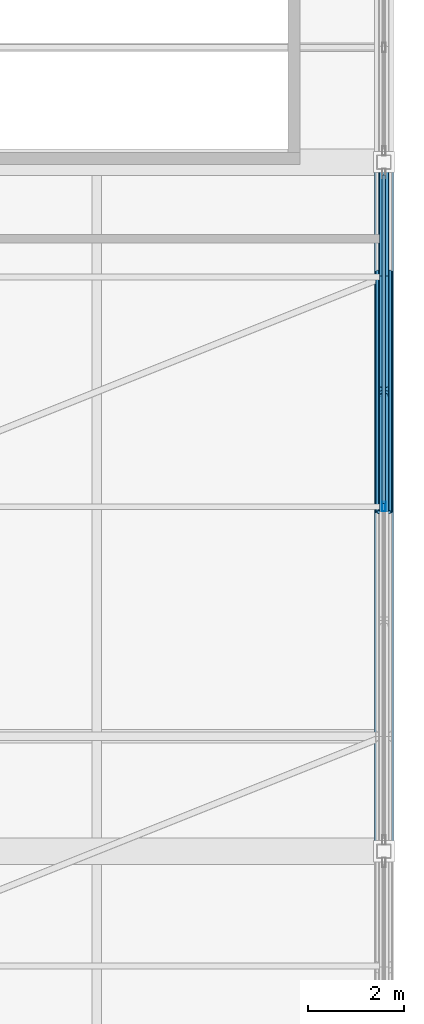
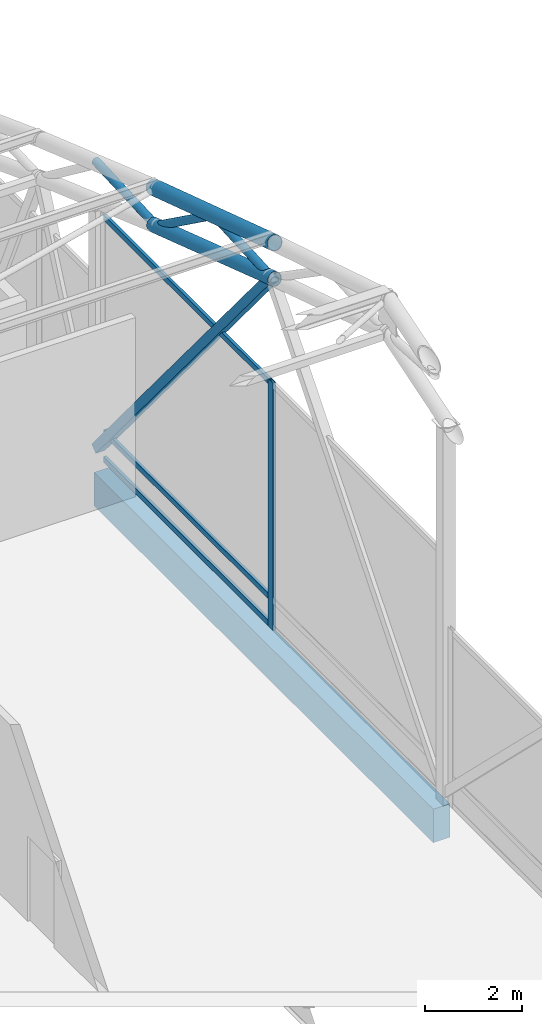
# One storey, part 58 of 116: 10 members, 1 beam, 1 element without a shape of its own.
"""IFC4 building model written with IfcOpenShell, lengths in metres."""

from ifc_helpers import new_model, si_unit, direction, frame, origin, origin_2d, place, context, subcontext, project, spatial, rectangle, hollow_rectangle, hollow_circle, extrude, material, material_profile, profile_set, type_object, element, aggregate, save


model = new_model("IFC4")

# Units and contexts
model_context = context("Model", 3, precision=1e-05, world=origin(), true_north=direction((0.0, 1.0)))
body_context = subcontext(model_context, "Body", "Model", "MODEL_VIEW")
ifc_project = project(units=[si_unit("LENGTHUNIT", "METRE"), si_unit("AREAUNIT", "SQUARE_METRE"), si_unit("VOLUMEUNIT", "CUBIC_METRE"), si_unit("PLANEANGLEUNIT", "RADIAN"), si_unit("MASSUNIT", "GRAM", prefix="KILO")], contexts=[model_context])

# Site, building, storey
site_placement = place(None, origin())
site = spatial("IfcSite", under=ifc_project, at=site_placement, CompositionType="ELEMENT")
building_placement = place(site_placement, origin())
building = spatial("IfcBuilding", under=site, at=building_placement, Name="Cendralis Lancet Convention Centre", CompositionType="ELEMENT")
storey_placement = place(building_placement, frame((0.0, 0.0, 15.0)))
storey = spatial("IfcBuildingStorey", under=building, at=storey_placement, Name="L03", CompositionType="ELEMENT", Elevation=15.0)

# Curtain wall, members
ifc_material_1 = material(Name="Anodised bronze architectural aluminium", Category="aluminium")
curtain_wall_type = type_object("IfcCurtainWallType", Name="ARC-CW-PL02", PredefinedType="USERDEFINED", material=ifc_material_1)
curtain_wall_placement = place(storey_placement, origin())
curtain_wall = element("IfcCurtainWall", 1, at=curtain_wall_placement, inside=storey, type_object=curtain_wall_type, Name="L03 Curtain Wall CW-PL2 #143", ObjectType="CURTAIN WALL", PredefinedType="USERDEFINED")
ifc_material_profile_1 = material_profile(ifc_material_1, hollow_rectangle(XDim=0.070068359375, YDim=0.199951171875, WallThickness=0.0048828125, at=origin_2d()), Name="AL-MULL 70x200x5.0")
ifc_profile_set_1 = profile_set([ifc_material_profile_1], Name="Anodised bronze architectural aluminium")
member_type_1 = type_object("IfcMemberType", Name="ARC-CW-ML02", PredefinedType="MULLION", material=ifc_profile_set_1)
member_1_placement = place(storey_placement, frame((208.800048828125, 72.0, 0.0), z_axis=(0.0, 0.0, 1.0), x_axis=(1.0, 0.0, 0.0)))
member_1 = element("IfcMember", 2, at=member_1_placement, type_object=member_type_1, Name="Mullion CW2-CW-PL2-L03-143-M1", PredefinedType="MULLION", context=body_context, shape_type="SweptSolid", body=[
    extrude(hollow_rectangle(XDim=0.070068359375, YDim=0.199951171875, WallThickness=0.0048828125, at=origin_2d()), origin(), (0.0, 0.0, 1.0), 6.2548828125),
])
ifc_material_profile_2 = material_profile(ifc_material_1, hollow_rectangle(XDim=0.070068359375, YDim=0.139892578125, WallThickness=0.00390625, at=origin_2d()), Name="AL-TRAN 70x140x4.0")
ifc_profile_set_2 = profile_set([ifc_material_profile_2], Name="Anodised bronze architectural aluminium")
member_type_2 = type_object("IfcMemberType", Name="ARC-CW-TR02", PredefinedType="USERDEFINED", material=ifc_profile_set_2)
member_2_placement = place(storey_placement, frame((208.800048828125, 78.929931640625, 0.070068359375), z_axis=(0.0, -1.0, 0.0), x_axis=(1.0, 0.0, 0.0)))
member_2 = element("IfcMember", 3, at=member_2_placement, type_object=member_type_2, Name="Transom CW2-CW-PL2-L03-143-T0BOT", ObjectType="TRANSOM", PredefinedType="USERDEFINED", context=body_context, shape_type="SweptSolid", body=[
    extrude(hollow_rectangle(XDim=0.070068359375, YDim=0.139892578125, WallThickness=0.00390625, at=origin_2d()), origin(), (0.0, 0.0, 1.0), 6.85986328125),
])
member_3_placement = place(storey_placement, frame((208.800048828125, 78.929931640625, 0.75), z_axis=(0.0, -1.0, 0.0), x_axis=(1.0, 0.0, 0.0)))
member_3 = element("IfcMember", 4, at=member_3_placement, type_object=member_type_2, Name="Transom CW2-CW-PL2-L03-143-T0MID", ObjectType="TRANSOM", PredefinedType="USERDEFINED", context=body_context, shape_type="SweptSolid", body=[
    extrude(hollow_rectangle(XDim=0.070068359375, YDim=0.139892578125, WallThickness=0.00390625, at=origin_2d()), origin(), (0.0, 0.0, 1.0), 6.85986328125),
])
member_4_placement = place(storey_placement, frame((208.800048828125, 78.929931640625, 6.18505859375), z_axis=(0.0, -1.0, 0.0), x_axis=(1.0, 0.0, 0.0)))
member_4 = element("IfcMember", 5, at=member_4_placement, type_object=member_type_2, Name="Transom CW2-CW-PL2-L03-143-T0TOP", ObjectType="TRANSOM", PredefinedType="USERDEFINED", context=body_context, shape_type="SweptSolid", body=[
    extrude(hollow_rectangle(XDim=0.070068359375, YDim=0.139892578125, WallThickness=0.00390625, at=origin_2d()), origin(), (0.0, 0.0, 1.0), 6.85986328125),
])
aggregate(curtain_wall, [member_1, member_2, member_3, member_4])

# Member
ifc_material_2 = material(Name="Steel S355", Category="steel")
ifc_material_profile_3 = material_profile(ifc_material_2, hollow_rectangle(XDim=0.219970703125, YDim=0.219970703125, WallThickness=0.012451171875, at=origin_2d()), Name="SHS 220x220x12.5")
ifc_profile_set_3 = profile_set([ifc_material_profile_3], Name="Steel S355")
member_type_3 = type_object("IfcMemberType", Name="STR-BR-GB02", PredefinedType="BRACE", material=ifc_profile_set_3)
member_5_placement = place(storey_placement, frame((208.800048828125, 79.199951171875, 0.199951171875), z_axis=(0.0, -0.639706349846, 0.768619402544), x_axis=(1.0, 0.0, 0.0)))
element("IfcMember", 6, at=member_5_placement, inside=storey, type_object=member_type_3, Name="Plenary Gable Gothic Ogival Tracery Rib GBR2 #076", PredefinedType="BRACE", context=body_context, shape_type="SweptSolid", body=[
    extrude(hollow_rectangle(XDim=0.219970703125, YDim=0.219970703125, WallThickness=0.012451171875, at=origin_2d()), origin(), (0.0, 0.0, 1.0), 11.255126953125),
])

# Beam
ifc_material_3 = material(Name="Concrete G40 (C40/50)", Category="concrete")
ifc_material_profile_4 = material_profile(ifc_material_3, rectangle(XDim=0.39990234375, YDim=0.85009765625, at=origin_2d()), Name="RCB 400x850")
ifc_profile_set_4 = profile_set([ifc_material_profile_4], Name="Concrete G40 (C40/50)")
beam_type = type_object("IfcBeamType", Name="STR-SP-SP02", PredefinedType="SPANDREL", material=ifc_profile_set_4)
beam_placement = place(storey_placement, frame((208.800048828125, 64.97509765625, -0.68505859375), z_axis=(0.0, 1.0, 0.0), x_axis=(-1.0, 0.0, 0.0)))
element("IfcBeam", 7, at=beam_placement, inside=storey, type_object=beam_type, Name="L03 Beam SP02 #1549", PredefinedType="SPANDREL", context=body_context, shape_type="SweptSolid", body=[
    extrude(rectangle(XDim=0.39990234375, YDim=0.85009765625, at=origin_2d()), origin(), (0.0, 0.0, 1.0), 14.0498046875),
])

# Members
ifc_material_profile_5 = material_profile(ifc_material_2, hollow_circle(Radius=0.161865234375, WallThickness=0.01416015625, at=origin_2d()), Name="CHS 323.9x14.2")
ifc_profile_set_5 = profile_set([ifc_material_profile_5], Name="Steel S355")
member_type_4 = type_object("IfcMemberType", Name="STR-TR-BC02", PredefinedType="CHORD", material=ifc_profile_set_5)
member_6_placement = place(storey_placement, frame((208.800048828125, 71.885986328125, 8.888916015625), z_axis=(0.0, 0.948830629051, -0.315785429325), x_axis=(-1.0, 0.0, 0.0)))
element("IfcMember", 8, at=member_6_placement, inside=storey, type_object=member_type_4, Name="ROOF TRUSS AT-V2-10 Bottom Chord 06", PredefinedType="CHORD", context=body_context, shape_type="SweptSolid", body=[
    extrude(hollow_circle(Radius=0.161865234375, WallThickness=0.01416015625, at=origin_2d()), origin(), (0.0, 0.0, 1.0), 5.299072265625),
])
ifc_material_profile_6 = material_profile(ifc_material_2, hollow_circle(Radius=0.177734375, WallThickness=0.01611328125, at=origin_2d()), Name="CHS 355.6x16.0")
ifc_profile_set_6 = profile_set([ifc_material_profile_6], Name="Steel S355")
member_type_5 = type_object("IfcMemberType", Name="STR-TR-TC02", PredefinedType="CHORD", material=ifc_profile_set_6)
member_7_placement = place(storey_placement, frame((208.800048828125, 71.885986328125, 9.8037109375), z_axis=(0.0, 0.950808200203, -0.309780190501), x_axis=(-1.0, 0.0, 0.0)))
element("IfcMember", 9, at=member_7_placement, inside=storey, type_object=member_type_5, Name="ROOF TRUSS AT-V2-10 Top Chord 06", PredefinedType="CHORD", context=body_context, shape_type="SweptSolid", body=[
    extrude(hollow_circle(Radius=0.177734375, WallThickness=0.01611328125, at=origin_2d()), origin(), (0.0, 0.0, 1.0), 5.288330078125),
])
ifc_material_profile_7 = material_profile(ifc_material_2, hollow_circle(Radius=0.096923828125, WallThickness=0.008056640625, at=origin_2d()), Name="CHS 193.7x8.0")
ifc_profile_set_7 = profile_set([ifc_material_profile_7], Name="Steel S355")
member_type_6 = type_object("IfcMemberType", Name="STR-TR-WD02", PredefinedType="BRACE", material=ifc_profile_set_7)
member_8_placement = place(storey_placement, frame((208.800048828125, 71.900146484375, 8.84521484375), z_axis=(0.0, 0.998447632237, 0.055698524939), x_axis=(-1.0, 0.0, 0.0)))
element("IfcMember", 10, at=member_8_placement, inside=storey, type_object=member_type_6, Name="ROOF TRUSS AT-V2-10 Warren Web 06-0", PredefinedType="BRACE", context=body_context, shape_type="SweptSolid", body=[
    extrude(hollow_circle(Radius=0.096923828125, WallThickness=0.008056640625, at=origin_2d()), origin(), (0.0, 0.0, 1.0), 2.603759765625),
])
member_9_placement = place(storey_placement, frame((208.800048828125, 74.31884765625, 9.043212890625), z_axis=(0.0, 0.811035686786, -0.584996679273), x_axis=(-1.0, 0.0, 0.0)))
element("IfcMember", 11, at=member_9_placement, inside=storey, type_object=member_type_6, Name="ROOF TRUSS AT-V2-10 Warren Web 06-1", PredefinedType="BRACE", context=body_context, shape_type="SweptSolid", body=[
    extrude(hollow_circle(Radius=0.096923828125, WallThickness=0.008056640625, at=origin_2d()), origin(), (0.0, 0.0, 1.0), 3.1591796875),
])
member_10_placement = place(storey_placement, frame((208.800048828125, 76.7001953125, 7.24853515625), z_axis=(0.0, 0.998805103147, 0.048870910851), x_axis=(-1.0, 0.0, 0.0)))
element("IfcMember", 12, at=member_10_placement, inside=storey, type_object=member_type_6, Name="ROOF TRUSS AT-V2-10 Warren Web 07-0", PredefinedType="BRACE", context=body_context, shape_type="SweptSolid", body=[
    extrude(hollow_circle(Radius=0.096923828125, WallThickness=0.008056640625, at=origin_2d()), origin(), (0.0, 0.0, 1.0), 2.602783203125),
])

save(model, "model.ifc")
